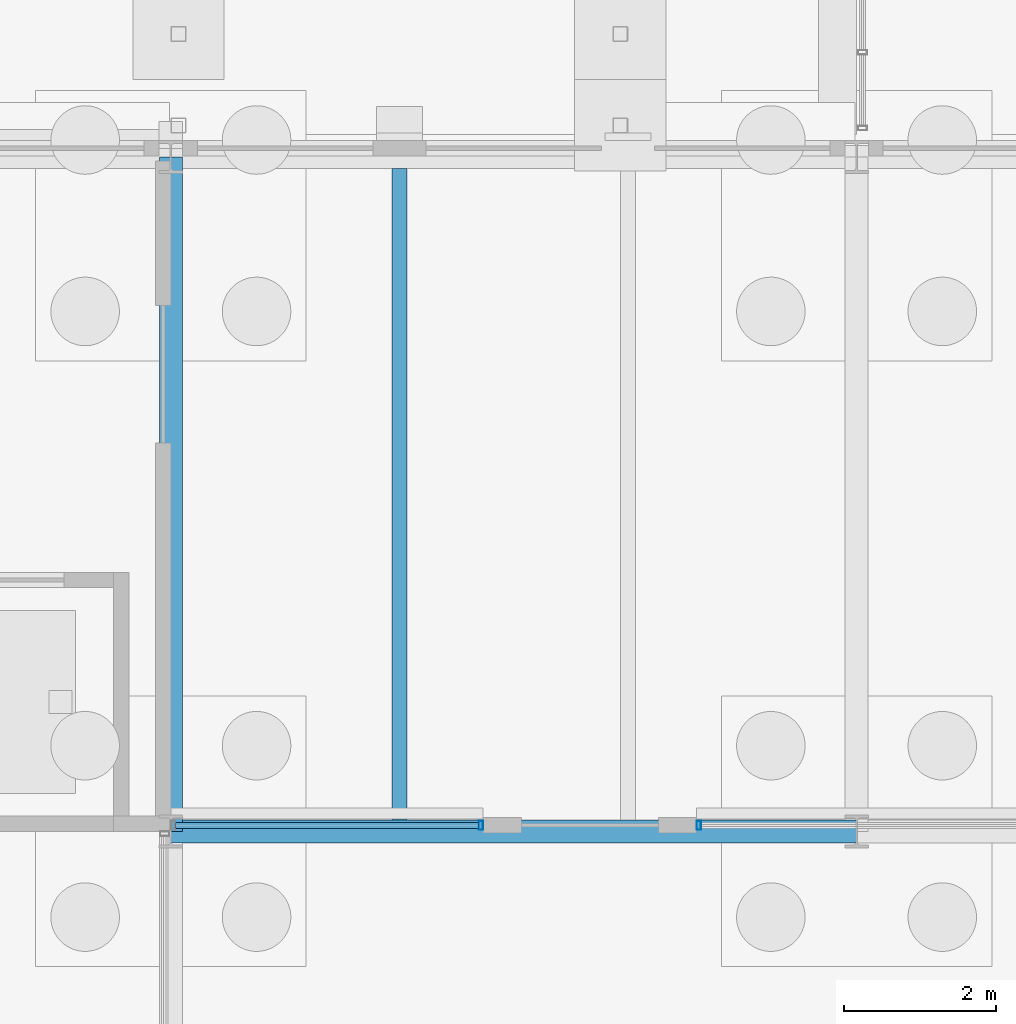
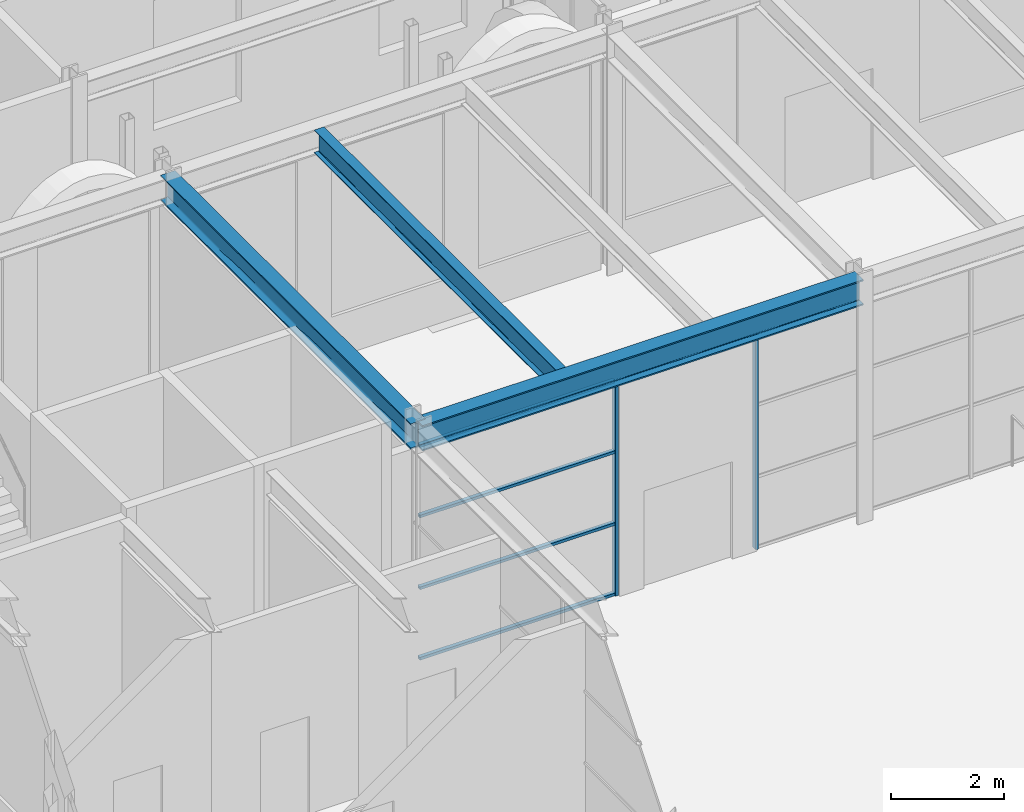
# One storey, part 43 of 126: 6 members, 3 beams, 2 elements without a shape of their own.
"""IFC4 building model written with IfcOpenShell, lengths in metres."""

from ifc_helpers import new_model, si_unit, direction, frame, origin, origin_2d, place, context, subcontext, project, spatial, hollow_rectangle, i_section, extrude, material, material_profile, profile_set, type_object, element, aggregate, save


model = new_model("IFC4")

# Units and contexts
model_context = context("Model", 3, precision=1e-05, world=origin(), true_north=direction((0.0, 1.0)))
body_context = subcontext(model_context, "Body", "Model", "MODEL_VIEW")
ifc_project = project(units=[si_unit("LENGTHUNIT", "METRE"), si_unit("AREAUNIT", "SQUARE_METRE"), si_unit("VOLUMEUNIT", "CUBIC_METRE"), si_unit("PLANEANGLEUNIT", "RADIAN"), si_unit("MASSUNIT", "GRAM", prefix="KILO")], contexts=[model_context])

# Site, building, storey
site_placement = place(None, origin())
site = spatial("IfcSite", under=ifc_project, at=site_placement, CompositionType="ELEMENT")
building_placement = place(site_placement, origin())
building = spatial("IfcBuilding", under=site, at=building_placement, Name="Kallimachos Central Library", CompositionType="ELEMENT")
storey_placement = place(building_placement, origin())
storey = spatial("IfcBuildingStorey", under=building, at=storey_placement, Name="L00", CompositionType="ELEMENT", Elevation=0.0)

# Curtain wall, member
ifc_material_1 = material(Name="Aluminium and laminated glass", Category="aluminium")
curtain_wall_type = type_object("IfcCurtainWallType", Name="Atrium glazed screen", PredefinedType="NOTDEFINED", material=ifc_material_1)
curtain_wall_1_placement = place(storey_placement, origin())
curtain_wall_1 = element("IfcCurtainWall", 1, at=curtain_wall_1_placement, inside=storey, type_object=curtain_wall_type, Name="L00 atrium screen N", PredefinedType="NOTDEFINED")
ifc_material_2 = material(Name="Anodised aluminium", Category="aluminium")
ifc_material_profile_1 = material_profile(ifc_material_2, hollow_rectangle(XDim=0.06005859375, YDim=0.1201171875, WallThickness=0.00390625, at=origin_2d()), Name="ALU MULLION 60x120")
ifc_profile_set_1 = profile_set([ifc_material_profile_1], Name="Anodised aluminium")
member_type_1 = type_object("IfcMemberType", Name="Atrium screen mullion", PredefinedType="MULLION", material=ifc_profile_set_1)
member_1_placement = place(storey_placement, frame((78.570068359375, 75.080078125, 0.0), z_axis=(0.0, 0.0, 1.0), x_axis=(1.0, 0.0, 0.0)))
member_1 = element("IfcMember", 2, at=member_1_placement, type_object=member_type_1, Name="CW mullion 2", PredefinedType="MULLION", context=body_context, shape_type="SweptSolid", body=[
    extrude(hollow_rectangle(XDim=0.06005859375, YDim=0.1201171875, WallThickness=0.00390625, at=origin_2d()), origin(), (0.0, 0.0, 1.0), 4.64990234375),
])

curtain_wall_2_placement = place(storey_placement, origin())
curtain_wall_2 = element("IfcCurtainWall", 3, at=curtain_wall_2_placement, inside=storey, type_object=curtain_wall_type, Name="L00 atrium screen N", PredefinedType="NOTDEFINED")
member_2_placement = place(storey_placement, frame((81.429931640625, 75.080078125, 0.0), z_axis=(0.0, 0.0, 1.0), x_axis=(1.0, 0.0, 0.0)))
member_2 = element("IfcMember", 4, at=member_2_placement, type_object=member_type_1, Name="CW mullion 1", PredefinedType="MULLION", context=body_context, shape_type="SweptSolid", body=[
    extrude(hollow_rectangle(XDim=0.06005859375, YDim=0.1201171875, WallThickness=0.00390625, at=origin_2d()), origin(), (0.0, 0.0, 1.0), 4.64990234375),
])
aggregate(curtain_wall_2, [member_2])

# Member
ifc_material_3 = material(Name="Anodised aluminium", Category="aluminium")
ifc_material_profile_2 = material_profile(ifc_material_3, hollow_rectangle(XDim=0.06005859375, YDim=0.080078125, WallThickness=0.00390625, at=origin_2d()), Name="ALU TRANSOM 60x80")
ifc_profile_set_2 = profile_set([ifc_material_profile_2], Name="Anodised aluminium")
member_type_2 = type_object("IfcMemberType", Name="Atrium screen transom", PredefinedType="USERDEFINED", material=ifc_profile_set_2)
member_3_placement = place(storey_placement, frame((74.56005859375, 75.080078125, 0.030029296875), z_axis=(1.0, 0.0, 0.0), x_axis=(0.0, 0.0, 1.0)))
member_3 = element("IfcMember", 5, at=member_3_placement, type_object=member_type_2, Name="CW transom 1.1", ObjectType="TRANSOM", PredefinedType="USERDEFINED", context=body_context, shape_type="SweptSolid", body=[
    extrude(hollow_rectangle(XDim=0.06005859375, YDim=0.080078125, WallThickness=0.00390625, at=origin_2d()), origin(), (0.0, 0.0, 1.0), 3.97998046875),
])

member_4_placement = place(storey_placement, frame((74.56005859375, 75.080078125, 1.550048828125), z_axis=(1.0, 0.0, 0.0), x_axis=(0.0, 0.0, 1.0)))
member_4 = element("IfcMember", 6, at=member_4_placement, type_object=member_type_2, Name="CW transom 1.2", ObjectType="TRANSOM", PredefinedType="USERDEFINED", context=body_context, shape_type="SweptSolid", body=[
    extrude(hollow_rectangle(XDim=0.06005859375, YDim=0.080078125, WallThickness=0.00390625, at=origin_2d()), origin(), (0.0, 0.0, 1.0), 3.97998046875),
])

member_5_placement = place(storey_placement, frame((74.56005859375, 75.080078125, 3.10009765625), z_axis=(1.0, 0.0, 0.0), x_axis=(0.0, 0.0, 1.0)))
member_5 = element("IfcMember", 7, at=member_5_placement, type_object=member_type_2, Name="CW transom 1.3", ObjectType="TRANSOM", PredefinedType="USERDEFINED", context=body_context, shape_type="SweptSolid", body=[
    extrude(hollow_rectangle(XDim=0.06005859375, YDim=0.080078125, WallThickness=0.00390625, at=origin_2d()), origin(), (0.0, 0.0, 1.0), 3.97998046875),
])

member_6_placement = place(storey_placement, frame((74.56005859375, 75.080078125, 4.6201171875), z_axis=(1.0, 0.0, 0.0), x_axis=(0.0, 0.0, 1.0)))
member_6 = element("IfcMember", 8, at=member_6_placement, type_object=member_type_2, Name="CW transom 1.4", ObjectType="TRANSOM", PredefinedType="USERDEFINED", context=body_context, shape_type="SweptSolid", body=[
    extrude(hollow_rectangle(XDim=0.06005859375, YDim=0.080078125, WallThickness=0.00390625, at=origin_2d()), origin(), (0.0, 0.0, 1.0), 3.97998046875),
])

aggregate(curtain_wall_1, [member_1, member_3, member_4, member_5, member_6])

# Beams
ifc_material_4 = material(Name="Steel S355J2", Category="steel")
ifc_material_profile_3 = material_profile(ifc_material_4, i_section(OverallWidth=0.300048828125, OverallDepth=0.550048828125, WebThickness=0.014892578125, FlangeThickness=0.029052734375, FilletRadius=0.027099609375, at=origin_2d()), Name="HEB 550")
ifc_profile_set_3 = profile_set([ifc_material_profile_3], Name="Steel S355J2")
beam_type_1 = type_object("IfcBeamType", Name="HEB 550 beam", PredefinedType="BEAM", material=ifc_profile_set_3)
beam_1_placement = place(storey_placement, frame((74.5, 75.0, 4.925048828125), z_axis=(1.0, 0.0, 0.0), x_axis=(0.0, 1.0, 0.0)))
element("IfcBeam", 9, at=beam_1_placement, inside=storey, type_object=beam_type_1, Name="V4-BEM-L00-001", PredefinedType="BEAM", context=body_context, shape_type="SweptSolid", body=[
    extrude(i_section(OverallWidth=0.300048828125, OverallDepth=0.550048828125, WebThickness=0.014892578125, FlangeThickness=0.029052734375, FilletRadius=0.027099609375, at=origin_2d()), origin(), (0.0, 0.0, 1.0), 9.0),
])
beam_2_placement = place(storey_placement, frame((74.5, 75.0, 4.925048828125), z_axis=(0.0, 1.0, 0.0), x_axis=(-1.0, 0.0, 0.0)))
element("IfcBeam", 10, at=beam_2_placement, inside=storey, type_object=beam_type_1, Name="V4-BEM-L00-010", PredefinedType="BEAM", context=body_context, shape_type="SweptSolid", body=[
    extrude(i_section(OverallWidth=0.300048828125, OverallDepth=0.550048828125, WebThickness=0.014892578125, FlangeThickness=0.029052734375, FilletRadius=0.027099609375, at=origin_2d()), origin(), (0.0, 0.0, 1.0), 8.85009765625),
])
ifc_material_5 = material(Name="Steel S355J2", Category="steel")
ifc_material_profile_4 = material_profile(ifc_material_5, i_section(OverallWidth=0.199951171875, OverallDepth=0.5, WebThickness=0.01025390625, FlangeThickness=0.01611328125, FilletRadius=0.02099609375, at=origin_2d()), Name="IPE 500")
ifc_profile_set_4 = profile_set([ifc_material_profile_4], Name="Steel S355J2")
beam_type_2 = type_object("IfcBeamType", Name="IPE 500 beam", PredefinedType="BEAM", material=ifc_profile_set_4)
beam_3_placement = place(storey_placement, frame((77.5, 75.14990234375, 4.949951171875), z_axis=(0.0, 1.0, 0.0), x_axis=(-1.0, 0.0, 0.0)))
element("IfcBeam", 11, at=beam_3_placement, inside=storey, type_object=beam_type_2, Name="V4-BEM-L00-015", PredefinedType="BEAM", context=body_context, shape_type="SweptSolid", body=[
    extrude(i_section(OverallWidth=0.199951171875, OverallDepth=0.5, WebThickness=0.01025390625, FlangeThickness=0.01611328125, FilletRadius=0.02099609375, at=origin_2d()), origin(), (0.0, 0.0, 1.0), 8.550048828125),
])

save(model, "model.ifc")
